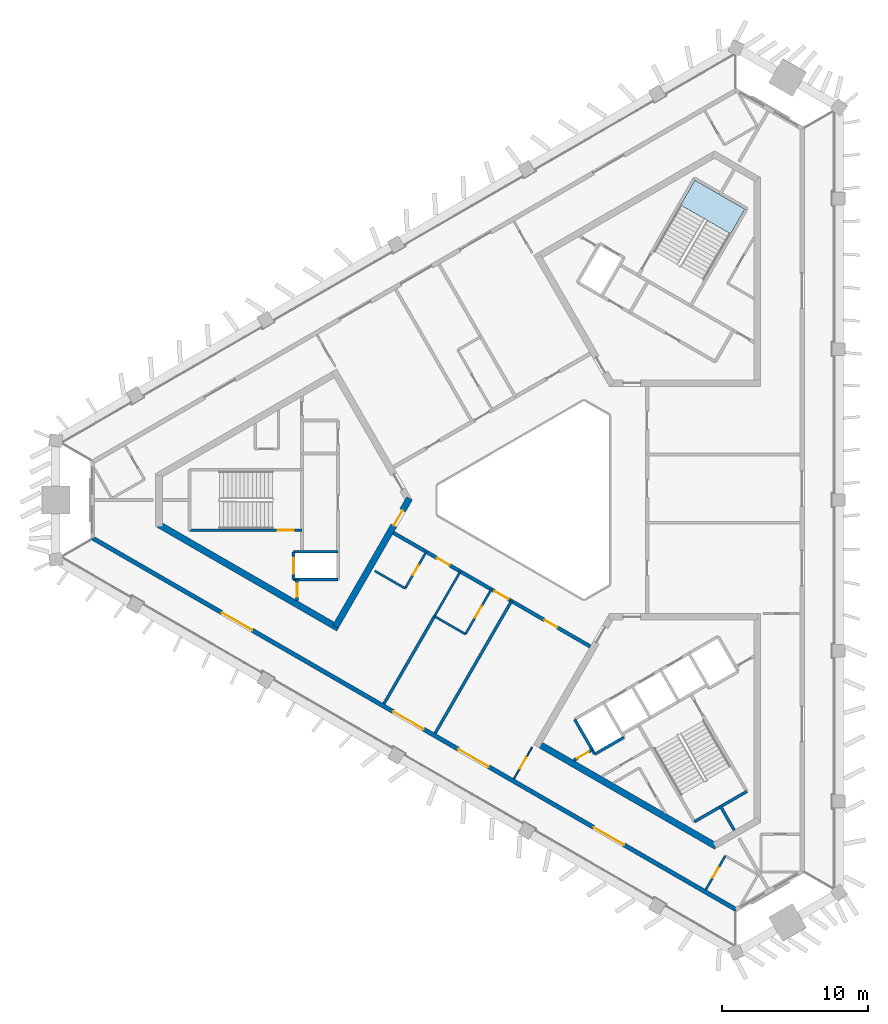
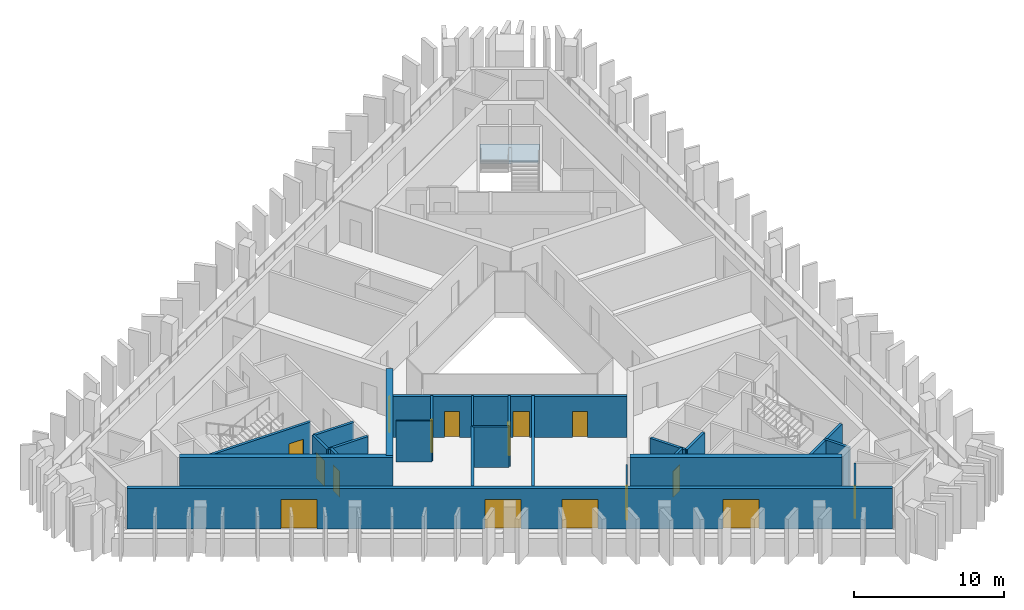
# One storey, part 2 of 10: 24 walls, 16 doors, 1 slab, 16 openings, 1 element without a shape of its own.
"""IFC4 building model written with IfcOpenShell, lengths in metres."""

from ifc_helpers import new_model, si_unit, direction, frame, frame_2d, origin, place, context, subcontext, project, spatial, polyline, rectangle, outline, extrude, material, layer, layer_set, type_object, element, fill, aggregate, save


model = new_model("IFC4")

# Units and contexts
model_context = context("Model", 3, precision=1e-05, world=origin(), true_north=direction((0.0, 1.0)))
body_context = subcontext(model_context, "Body", "Model", "MODEL_VIEW")
ifc_project = project(units=[si_unit("LENGTHUNIT", "METRE"), si_unit("AREAUNIT", "SQUARE_METRE"), si_unit("VOLUMEUNIT", "CUBIC_METRE"), si_unit("PLANEANGLEUNIT", "RADIAN"), si_unit("MASSUNIT", "GRAM", prefix="KILO")], contexts=[model_context])

# Site, building, storey
site_placement = place(None, origin())
site = spatial("IfcSite", under=ifc_project, at=site_placement, CompositionType="ELEMENT")
building_placement = place(site_placement, origin())
building = spatial("IfcBuilding", under=site, at=building_placement, Name="Jabali Bay Hotel Tower and Convention Centre", CompositionType="ELEMENT")
storey_placement = place(building_placement, frame((0.0, 0.0, 216.89990234375)))
storey = spatial("IfcBuildingStorey", under=building, at=storey_placement, Name="L53", CompositionType="ELEMENT", Elevation=216.89990234375)

# Stair, slab
ifc_material_1 = material(Name="Concrete C40", Category="concrete")
stair_type = type_object("IfcStairType", Name="Exit stair 1900", PredefinedType="HALF_TURN_STAIR", material=ifc_material_1)
stair_placement = place(storey_placement, origin())
stair = element("IfcStair", 1, at=stair_placement, inside=storey, type_object=stair_type, Name="L53 Exit Stair 2", PredefinedType="HALF_TURN_STAIR")
ifc_layer_1 = layer(ifc_material_1, 0.199951171875)
ifc_layer_set_1 = layer_set([ifc_layer_1], Name="Concrete C40")
slab_type = type_object("IfcSlabType", Name="Stair landing 200", PredefinedType="LANDING", material=ifc_layer_set_1)
slab_placement = place(storey_placement, frame((0.0, 0.0, 1.650146484375)))
slab = element("IfcSlab", 2, at=slab_placement, type_object=slab_type, Name="ST2 landing 1", PredefinedType="LANDING", context=body_context, shape_type="SweptSolid", body=[
    extrude(outline(polyline([(87.81884765625, 98.2529296875), (88.80029296875, 99.952880859375), (85.379638671875, 101.927978515625), (84.398193359375, 100.22802734375), (87.81884765625, 98.2529296875)])), origin(), (0.0, 0.0, 1.0), 0.199951171875),
])
aggregate(stair, [slab])

# Wall, opening, door
ifc_layer_2 = layer(ifc_material_1, 0.199951171875)
ifc_layer_set_2 = layer_set([ifc_layer_2], Name="Concrete C40")
wall_type_1 = type_object("IfcWallType", Name="Core partition wall 200", PredefinedType="PARTITIONING", material=ifc_layer_set_2)
wall_1_placement = place(storey_placement, frame((58.10009765625, 74.550048828125, 0.0), z_axis=(0.0, 0.0, 1.0), x_axis=(0.0, -1.0, 0.0)))
wall_1 = element("IfcWall", 3, at=wall_1_placement, inside=storey, type_object=wall_type_1, Name="Core wall 0.10 L53", PredefinedType="PARTITIONING", context=body_context, shape_type="SweptSolid", body=[
    extrude(rectangle(XDim=1.455078125, YDim=0.199951171875, at=frame_2d((0.7275390625, 0.0))), origin(), (0.0, 0.0, 1.0), 3.300048828125),
])
opening_1_placement = place(wall_1_placement, frame((0.277587890625, 0.0, 0.0)))
opening_1 = element("IfcOpeningElement", 4, at=opening_1_placement, cuts=wall_1, Name="Opening D1145", PredefinedType="OPENING", context=body_context, shape_type="SweptSolid", body=[
    extrude(rectangle(XDim=0.89990234375, YDim=2.10009765625, at=frame_2d((0.449951171875, 1.050048828125))), frame((0.0, 0.1103515625, 0.0), z_axis=(0.0, -1.0, 0.0), x_axis=(1.0, 0.0, 0.0)), (0.0, 0.0, 1.0), 0.220947265625),
])
ifc_material_2 = material(Name="Fire-rated steel door", Category="steel")
door_type_1 = type_object("IfcDoorType", Name="Vestibule fire door 900 x 2100", OperationType="NOTDEFINED", PredefinedType="NOTDEFINED", material=ifc_material_2)
door_1_placement = place(opening_1_placement, origin())
door_1 = element("IfcDoor", 5, at=door_1_placement, inside=storey, type_object=door_type_1, Name="Vestibule fire door D1145", OperationType="SINGLE_SWING_LEFT", OverallHeight=2.10009765625, OverallWidth=0.89990234375, PredefinedType="NOTDEFINED", context=body_context, shape_type="SweptSolid", body=[
    extrude(rectangle(XDim=0.89990234375, YDim=2.10009765625, at=frame_2d((0.449951171875, 1.050048828125))), frame((0.0, 0.02490234375, 0.0), z_axis=(0.0, -1.0, 0.0), x_axis=(1.0, 0.0, 0.0)), (0.0, 0.0, 1.0), 0.050048828125),
])
fill(opening_1, door_1)

# Wall
wall_2_placement = place(storey_placement, frame((87.090087890625, 59.0595703125, 0.0), z_axis=(0.0, 0.0, 1.0), x_axis=(0.500011643316, -0.866018681408, 0.0)))
element("IfcWall", 6, at=wall_2_placement, inside=storey, type_object=wall_type_1, Name="Core wall 2.5 L53", PredefinedType="PARTITIONING", context=body_context, shape_type="SweptSolid", body=[
    extrude(rectangle(XDim=1.97314453125, YDim=0.199951171875, at=frame_2d((0.986572265625, 0.0))), origin(), (0.0, 0.0, 1.0), 3.300048828125),
])

# Wall, opening, door
wall_3_placement = place(storey_placement, frame((77.070068359375, 62.142578125, 0.0), z_axis=(0.0, 0.0, 1.0), x_axis=(0.866013036001, 0.500021421018, 0.0)))
wall_3 = element("IfcWall", 7, at=wall_3_placement, inside=storey, type_object=wall_type_1, Name="Core wall 2.11 L53", PredefinedType="PARTITIONING", context=body_context, shape_type="SweptSolid", body=[
    extrude(rectangle(XDim=1.4609375, YDim=0.199951171875, at=frame_2d((0.73046875, 0.0))), origin(), (0.0, 0.0, 1.0), 3.300048828125),
])
opening_2_placement = place(wall_3_placement, frame((0.280517578125, 0.0, 0.0)))
opening_2 = element("IfcOpeningElement", 8, at=opening_2_placement, cuts=wall_3, Name="Opening D1161", PredefinedType="OPENING", context=body_context, shape_type="SweptSolid", body=[
    extrude(rectangle(XDim=0.89990234375, YDim=2.10009765625, at=frame_2d((0.449951171875, 1.050048828125))), frame((0.0, 0.1103515625, 0.0), z_axis=(0.0, -1.0, 0.0), x_axis=(1.0, 0.0, 0.0)), (0.0, 0.0, 1.0), 0.220947265625),
])
door_2_placement = place(opening_2_placement, origin())
door_2 = element("IfcDoor", 9, at=door_2_placement, inside=storey, type_object=door_type_1, Name="Vestibule fire door D1161", OperationType="SINGLE_SWING_LEFT", OverallHeight=2.10009765625, OverallWidth=0.89990234375, PredefinedType="NOTDEFINED", context=body_context, shape_type="SweptSolid", body=[
    extrude(rectangle(XDim=0.89990234375, YDim=2.10009765625, at=frame_2d((0.449951171875, 1.050048828125))), frame((0.0, 0.02490234375, 0.0), z_axis=(0.0, -1.0, 0.0), x_axis=(1.0, 0.0, 0.0)), (0.0, 0.0, 1.0), 0.050048828125),
])
fill(opening_2, door_2)

ifc_layer_3 = layer(ifc_material_1, 0.199951171875)
ifc_layer_set_3 = layer_set([ifc_layer_3], Name="Concrete C40")
wall_type_2 = type_object("IfcWallType", Name="Core stair wall 200", PredefinedType="SOLIDWALL", material=ifc_layer_set_3)
wall_4_placement = place(storey_placement, frame((58.419921875, 77.925048828125, 0.0), z_axis=(0.0, 0.0, 1.0), x_axis=(-1.0, 0.0, 0.0)))
wall_4 = element("IfcWall", 10, at=wall_4_placement, inside=storey, type_object=wall_type_2, Name="Core wall 0.5 L53", PredefinedType="SOLIDWALL", context=body_context, shape_type="SweptSolid", body=[
    extrude(rectangle(XDim=7.699951171875, YDim=0.199951171875, at=frame_2d((3.85009765625, 0.0))), origin(), (0.0, 0.0, 1.0), 3.300048828125),
])
opening_3_placement = place(wall_4_placement, frame((0.550048828125, 0.0, 0.0)))
opening_3 = element("IfcOpeningElement", 11, at=opening_3_placement, cuts=wall_4, Name="Opening D1147", PredefinedType="OPENING", context=body_context, shape_type="SweptSolid", body=[
    extrude(rectangle(XDim=1.10009765625, YDim=2.10009765625, at=frame_2d((0.550048828125, 1.050048828125))), frame((0.0, 0.1103515625, 0.0), z_axis=(0.0, -1.0, 0.0), x_axis=(1.0, 0.0, 0.0)), (0.0, 0.0, 1.0), 0.220947265625),
])
door_type_2 = type_object("IfcDoorType", Name="Stair fire door 1100 x 2100", OperationType="NOTDEFINED", PredefinedType="NOTDEFINED", material=ifc_material_2)
door_3_placement = place(opening_3_placement, origin())
door_3 = element("IfcDoor", 12, at=door_3_placement, inside=storey, type_object=door_type_2, Name="Stair fire door D1147", OperationType="SINGLE_SWING_RIGHT", OverallHeight=2.10009765625, OverallWidth=1.10009765625, PredefinedType="NOTDEFINED", context=body_context, shape_type="SweptSolid", body=[
    extrude(rectangle(XDim=1.10009765625, YDim=2.10009765625, at=frame_2d((0.550048828125, 1.050048828125))), frame((0.0, 0.02490234375, 0.0), z_axis=(0.0, -1.0, 0.0), x_axis=(1.0, 0.0, 0.0)), (0.0, 0.0, 1.0), 0.050048828125),
])
fill(opening_3, door_3)

# Walls
for number, where, z_axis, x_axis, name in (
    (13, (60.89990234375, 76.449951171875, 0.0), (0.0, 0.0, 1.0), (-1.0, 0.0, 0.0), "Core wall 0.6 L53"),
    (14, (60.89990234375, 74.550048828125, 0.0), (0.0, 0.0, 1.0), (-1.0, 0.0, 0.0), "Core wall 0.7 L53"),
):
    element("IfcWall", number, at=place(storey_placement, frame(where, z_axis=z_axis, x_axis=x_axis)), inside=storey, type_object=wall_type_2, Name=name, PredefinedType="SOLIDWALL", context=body_context, shape_type="SweptSolid", body=[
        extrude(rectangle(XDim=3.0498046875, YDim=0.199951171875, at=frame_2d((1.52490234375, 0.0))), origin(), (0.0, 0.0, 1.0), 3.300048828125),
    ])

# Wall, opening, door
wall_5_placement = place(storey_placement, frame((57.85009765625, 76.449951171875, 0.0), z_axis=(0.0, 0.0, 1.0), x_axis=(0.0, -1.0, 0.0)))
wall_5 = element("IfcWall", 15, at=wall_5_placement, inside=storey, type_object=wall_type_2, Name="Core wall 0.11 L53", PredefinedType="SOLIDWALL", context=body_context, shape_type="SweptSolid", body=[
    extrude(rectangle(XDim=1.89990234375, YDim=0.199951171875, at=frame_2d((0.949951171875, 0.0))), origin(), (0.0, 0.0, 1.0), 3.300048828125),
])
opening_4_placement = place(wall_5_placement, frame((0.39990234375, 0.0, 0.0)))
opening_4 = element("IfcOpeningElement", 16, at=opening_4_placement, cuts=wall_5, Name="Opening LD5-L53", PredefinedType="OPENING", context=body_context, shape_type="SweptSolid", body=[
    extrude(rectangle(XDim=1.10009765625, YDim=2.10009765625, at=frame_2d((0.550048828125, 1.050048828125))), frame((0.0, 0.1103515625, 0.0), z_axis=(0.0, -1.0, 0.0), x_axis=(1.0, 0.0, 0.0)), (0.0, 0.0, 1.0), 0.220947265625),
])
ifc_material_3 = material(Name="Stainless steel landing door", Category="steel")
door_type_3 = type_object("IfcDoorType", Name="Landing door 1100 x 2100", OperationType="NOTDEFINED", PredefinedType="NOTDEFINED", material=ifc_material_3)
door_4_placement = place(opening_4_placement, origin())
door_4 = element("IfcDoor", 17, at=door_4_placement, inside=storey, type_object=door_type_3, Name="Landing doors LD5-L53", OperationType="SLIDING_TO_RIGHT", OverallHeight=2.10009765625, OverallWidth=1.10009765625, PredefinedType="NOTDEFINED", context=body_context, shape_type="SweptSolid", body=[
    extrude(rectangle(XDim=1.10009765625, YDim=2.10009765625, at=frame_2d((0.550048828125, 1.050048828125))), frame((0.0, 0.02490234375, 0.0), z_axis=(0.0, -1.0, 0.0), x_axis=(1.0, 0.0, 0.0)), (0.0, 0.0, 1.0), 0.050048828125),
])
fill(opening_4, door_4)

# Walls
wall_6_placement = place(storey_placement, frame((77.13525390625, 64.95166015625, 0.0), z_axis=(0.0, 0.0, 1.0), x_axis=(0.499996545922, -0.866027397988, 0.0)))
element("IfcWall", 18, at=wall_6_placement, inside=storey, type_object=wall_type_2, Name="Core wall 2.0 L53", PredefinedType="SOLIDWALL", context=body_context, shape_type="SweptSolid", body=[
    extrude(rectangle(XDim=2.75, YDim=0.199951171875, at=frame_2d((1.375, 0.0))), origin(), (0.0, 0.0, 1.0), 3.300048828125),
])
wall_7_placement = place(storey_placement, frame((78.51025390625, 62.570068359375, 0.0), z_axis=(0.0, 0.0, 1.0), x_axis=(0.866053019151, 0.499952165731, 0.0)))
element("IfcWall", 19, at=wall_7_placement, inside=storey, type_object=wall_type_2, Name="Core wall 2.14 L53", PredefinedType="SOLIDWALL", context=body_context, shape_type="SweptSolid", body=[
    extrude(rectangle(XDim=2.300048828125, YDim=0.199951171875, at=frame_2d((1.14990234375, 0.0))), origin(), (0.0, 0.0, 1.0), 3.300048828125),
])
wall_8_placement = place(storey_placement, frame((85.343017578125, 57.935302734375, 0.0), z_axis=(0.0, 0.0, 1.0), x_axis=(0.866004344652, 0.500036473714, 0.0)))
element("IfcWall", 20, at=wall_8_placement, inside=storey, type_object=wall_type_2, Name="Core wall 2.18 L53", PredefinedType="SOLIDWALL", context=body_context, shape_type="SweptSolid", body=[
    extrude(rectangle(XDim=4.150146484375, YDim=0.199951171875, at=frame_2d((2.0751953125, 0.0))), origin(), (0.0, 0.0, 1.0), 3.300048828125),
])
ifc_material_4 = material(Name="Concrete C60", Category="concrete")
ifc_layer_4 = layer(ifc_material_4, 0.449951171875)
ifc_layer_set_4 = layer_set([ifc_layer_4], Name="Concrete C60")
wall_type_3 = type_object("IfcWallType", Name="Core wall 450", PredefinedType="SHEAR", material=ifc_layer_set_4)
wall_9_placement = place(storey_placement, frame((48.621826171875, 78.307373046875, 0.0), z_axis=(0.0, 0.0, 1.0), x_axis=(0.86602701116, -0.499997215934, 0.0)))
element("IfcWall", 21, at=wall_9_placement, inside=storey, type_object=wall_type_3, Name="Core wall 1.4 L53", PredefinedType="SHEAR", context=body_context, shape_type="SweptSolid", body=[
    extrude(rectangle(XDim=14.20361328125, YDim=0.449951171875, at=frame_2d((7.101806640625, 0.0))), origin(), (0.0, 0.0, 1.0), 3.7001953125),
])

# Wall, opening, door
wall_10_placement = place(storey_placement, frame((60.7275390625, 71.318115234375, 0.0), z_axis=(0.0, 0.0, 1.0), x_axis=(0.500012416173, 0.866018235185, 0.0)))
wall_10 = element("IfcWall", 22, at=wall_10_placement, inside=storey, type_object=wall_type_3, Name="Core wall 1.5 L53", PredefinedType="SHEAR", context=body_context, shape_type="SweptSolid", body=[
    extrude(rectangle(XDim=10.155029296875, YDim=0.449951171875, at=frame_2d((5.07763671875, 0.0))), origin(), (0.0, 0.0, 1.0), 3.7001953125),
])
opening_5_placement = place(wall_10_placement, frame((8.0048828125, 0.0, 0.0)))
opening_5 = element("IfcOpeningElement", 23, at=opening_5_placement, cuts=wall_10, Name="Opening D1142", PredefinedType="OPENING", context=body_context, shape_type="SweptSolid", body=[
    extrude(rectangle(XDim=1.199951171875, YDim=2.10009765625, at=frame_2d((0.60009765625, 1.050048828125))), frame((0.0, 0.2353515625, 0.0), z_axis=(0.0, -1.0, 0.0), x_axis=(1.0, 0.0, 0.0)), (0.0, 0.0, 1.0), 0.470947265625),
])
door_type_4 = type_object("IfcDoorType", Name="Corridor end fire door 1200 x 2100", OperationType="NOTDEFINED", PredefinedType="NOTDEFINED", material=ifc_material_2)
door_5_placement = place(opening_5_placement, origin())
door_5 = element("IfcDoor", 24, at=door_5_placement, inside=storey, type_object=door_type_4, Name="Corridor end fire door D1142", OperationType="SINGLE_SWING_LEFT", OverallHeight=2.10009765625, OverallWidth=1.199951171875, PredefinedType="NOTDEFINED", context=body_context, shape_type="SweptSolid", body=[
    extrude(rectangle(XDim=1.199951171875, YDim=2.10009765625, at=frame_2d((0.60009765625, 1.050048828125))), frame((0.0, 0.02490234375, 0.0), z_axis=(0.0, -1.0, 0.0), x_axis=(1.0, 0.0, 0.0)), (0.0, 0.0, 1.0), 0.050048828125),
])
fill(opening_5, door_5)

# Wall
wall_11_placement = place(storey_placement, frame((74.617431640625, 63.298828125, 0.0), z_axis=(0.0, 0.0, 1.0), x_axis=(0.86602594008, -0.499999071108, 0.0)))
element("IfcWall", 25, at=wall_11_placement, inside=storey, type_object=wall_type_3, Name="Core wall 3.2 L53", PredefinedType="SHEAR", context=body_context, shape_type="SweptSolid", body=[
    extrude(rectangle(XDim=14.1083984375, YDim=0.449951171875, at=frame_2d((7.05419921875, 0.0))), origin(), (0.0, 0.0, 1.0), 3.7001953125),
])

# Wall, openings, doors
ifc_layer_5 = layer(ifc_material_4, 0.25)
ifc_layer_set_5 = layer_set([ifc_layer_5], Name="Concrete C60")
wall_type_4 = type_object("IfcWallType", Name="Corridor wall 250", PredefinedType="SHEAR", material=ifc_layer_set_5)
wall_12_placement = place(storey_placement, frame((64.699951171875, 77.748291015625, 0.0), z_axis=(0.0, 0.0, 1.0), x_axis=(0.866026492143, -0.499998114903, 0.0)))
wall_12 = element("IfcWall", 26, at=wall_12_placement, inside=storey, type_object=wall_type_4, Name="Corridor wall 3 L53", PredefinedType="SHEAR", context=body_context, shape_type="SweptSolid", body=[
    extrude(rectangle(XDim=15.58837890625, YDim=0.25, at=frame_2d((7.794189453125, 0.0))), origin(), (0.0, 0.0, 1.0), 3.300048828125),
])
opening_6_placement = place(wall_12_placement, frame((3.449951171875, 0.0, 0.0)))
opening_6 = element("IfcOpeningElement", 27, at=opening_6_placement, cuts=wall_12, Name="Opening 5315", PredefinedType="OPENING", context=body_context, shape_type="SweptSolid", body=[
    extrude(rectangle(XDim=1.0, YDim=2.10009765625, at=frame_2d((0.5, 1.050048828125))), frame((0.0, 0.135498046875, 0.0), z_axis=(0.0, -1.0, 0.0), x_axis=(1.0, 0.0, 0.0)), (0.0, 0.0, 1.0), 0.27099609375),
])
opening_7_placement = place(wall_12_placement, frame((8.003173828125, 0.0, 0.0)))
opening_7 = element("IfcOpeningElement", 28, at=opening_7_placement, cuts=wall_12, Name="Opening 5317", PredefinedType="OPENING", context=body_context, shape_type="SweptSolid", body=[
    extrude(rectangle(XDim=1.10009765625, YDim=2.10009765625, at=frame_2d((0.550048828125, 1.050048828125))), frame((0.0, 0.135498046875, 0.0), z_axis=(0.0, -1.0, 0.0), x_axis=(1.0, 0.0, 0.0)), (0.0, 0.0, 1.0), 0.27099609375),
])
opening_8_placement = place(wall_12_placement, frame((11.970703125, 0.0, 0.0)))
opening_8 = element("IfcOpeningElement", 29, at=opening_8_placement, cuts=wall_12, Name="Opening 5318", PredefinedType="OPENING", context=body_context, shape_type="SweptSolid", body=[
    extrude(rectangle(XDim=1.0, YDim=2.10009765625, at=frame_2d((0.5, 1.050048828125))), frame((0.0, 0.135498046875, 0.0), z_axis=(0.0, -1.0, 0.0), x_axis=(1.0, 0.0, 0.0)), (0.0, 0.0, 1.0), 0.27099609375),
])
ifc_material_5 = material(Name="Timber", Category="wood")
door_type_5 = type_object("IfcDoorType", Name="Accessible guest room door 1100 x 2100", OperationType="NOTDEFINED", PredefinedType="NOTDEFINED", material=ifc_material_5)
door_6_placement = place(opening_7_placement, origin())
door_6 = element("IfcDoor", 30, at=door_6_placement, inside=storey, type_object=door_type_5, Name="Door 5317", OperationType="SINGLE_SWING_RIGHT", OverallHeight=2.10009765625, OverallWidth=1.10009765625, PredefinedType="NOTDEFINED", context=body_context, shape_type="SweptSolid", body=[
    extrude(rectangle(XDim=1.10009765625, YDim=2.10009765625, at=frame_2d((0.550048828125, 1.050048828125))), frame((0.0, 0.02490234375, 0.0), z_axis=(0.0, -1.0, 0.0), x_axis=(1.0, 0.0, 0.0)), (0.0, 0.0, 1.0), 0.050048828125),
])
fill(opening_7, door_6)
door_type_6 = type_object("IfcDoorType", Name="Guest room door 1000 x 2100", OperationType="NOTDEFINED", PredefinedType="NOTDEFINED", material=ifc_material_5)
door_7_placement = place(opening_6_placement, origin())
door_7 = element("IfcDoor", 31, at=door_7_placement, inside=storey, type_object=door_type_6, Name="Door 5315", OperationType="SINGLE_SWING_LEFT", OverallHeight=2.10009765625, OverallWidth=1.0, PredefinedType="NOTDEFINED", context=body_context, shape_type="SweptSolid", body=[
    extrude(rectangle(XDim=1.0, YDim=2.10009765625, at=frame_2d((0.5, 1.050048828125))), frame((0.0, 0.02490234375, 0.0), z_axis=(0.0, -1.0, 0.0), x_axis=(1.0, 0.0, 0.0)), (0.0, 0.0, 1.0), 0.050048828125),
])
fill(opening_6, door_7)
door_8_placement = place(opening_8_placement, origin())
door_8 = element("IfcDoor", 32, at=door_8_placement, inside=storey, type_object=door_type_6, Name="Door 5318", OperationType="SINGLE_SWING_RIGHT", OverallHeight=2.10009765625, OverallWidth=1.0, PredefinedType="NOTDEFINED", context=body_context, shape_type="SweptSolid", body=[
    extrude(rectangle(XDim=1.0, YDim=2.10009765625, at=frame_2d((0.5, 1.050048828125))), frame((0.0, 0.02490234375, 0.0), z_axis=(0.0, -1.0, 0.0), x_axis=(1.0, 0.0, 0.0)), (0.0, 0.0, 1.0), 0.050048828125),
])
fill(opening_8, door_8)

ifc_layer_6 = layer(ifc_material_1, 0.300048828125)
ifc_layer_set_6 = layer_set([ifc_layer_6], Name="Concrete C40")
wall_type_5 = type_object("IfcWallType", Name="External wall 300", PredefinedType="SOLIDWALL", material=ifc_layer_set_6)
wall_13_placement = place(storey_placement, frame((88.210205078125, 51.904052734375, 0.0), z_axis=(0.0, 0.0, 1.0), x_axis=(-0.866024402399, 0.500001734447, 0.0)))
wall_13 = element("IfcWall", 33, at=wall_13_placement, inside=storey, type_object=wall_type_5, Name="External wall south-west face L53", PredefinedType="SOLIDWALL", context=body_context, shape_type="SweptSolid", body=[
    extrude(rectangle(XDim=50.976806640625, YDim=0.300048828125, at=frame_2d((25.48828125, 0.0))), origin(), (0.0, 0.0, 1.0), 3.300048828125),
])
opening_9_placement = place(wall_13_placement, frame((24.756103515625, 0.0, 0.0)))
opening_9 = element("IfcOpeningElement", 34, at=opening_9_placement, cuts=wall_13, Name="Opening SD1", PredefinedType="OPENING", context=body_context, shape_type="SweptSolid", body=[
    extrude(rectangle(XDim=2.39990234375, YDim=2.39990234375, at=frame_2d((1.199951171875, 1.199951171875))), frame((0.0, 0.16064453125, 0.0), z_axis=(0.0, -1.0, 0.0), x_axis=(1.0, 0.0, 0.0)), (0.0, 0.0, 1.0), 0.321044921875),
])
opening_10_placement = place(wall_13_placement, frame((19.61181640625, 0.0, 0.0)))
opening_10 = element("IfcOpeningElement", 35, at=opening_10_placement, cuts=wall_13, Name="Opening SD1", PredefinedType="OPENING", context=body_context, shape_type="SweptSolid", body=[
    extrude(rectangle(XDim=2.39990234375, YDim=2.39990234375, at=frame_2d((1.199951171875, 1.199951171875))), frame((0.0, 0.16064453125, 0.0), z_axis=(0.0, -1.0, 0.0), x_axis=(1.0, 0.0, 0.0)), (0.0, 0.0, 1.0), 0.321044921875),
])
opening_11_placement = place(wall_13_placement, frame((8.88525390625, 0.0, 0.0)))
opening_11 = element("IfcOpeningElement", 36, at=opening_11_placement, cuts=wall_13, Name="Opening SD1", PredefinedType="OPENING", context=body_context, shape_type="SweptSolid", body=[
    extrude(rectangle(XDim=2.39990234375, YDim=2.39990234375, at=frame_2d((1.199951171875, 1.199951171875))), frame((0.0, 0.16064453125, 0.0), z_axis=(0.0, -1.0, 0.0), x_axis=(1.0, 0.0, 0.0)), (0.0, 0.0, 1.0), 0.321044921875),
])
opening_12_placement = place(wall_13_placement, frame((38.322998046875, 0.0, 0.0)))
opening_12 = element("IfcOpeningElement", 37, at=opening_12_placement, cuts=wall_13, Name="Opening SD1", PredefinedType="OPENING", context=body_context, shape_type="SweptSolid", body=[
    extrude(rectangle(XDim=2.39990234375, YDim=2.39990234375, at=frame_2d((1.199951171875, 1.199951171875))), frame((0.0, 0.16064453125, 0.0), z_axis=(0.0, -1.0, 0.0), x_axis=(1.0, 0.0, 0.0)), (0.0, 0.0, 1.0), 0.321044921875),
])
ifc_material_6 = material(Name="Glass", Category="glass")
door_type_7 = type_object("IfcDoorType", Name="Loggia sliding door 2400 x 2400", OperationType="NOTDEFINED", PredefinedType="NOTDEFINED", material=ifc_material_6)
door_9_placement = place(opening_9_placement, origin())
door_9 = element("IfcDoor", 38, at=door_9_placement, inside=storey, type_object=door_type_7, Name="Loggia sliding door 5307", OperationType="SLIDING_TO_LEFT", OverallHeight=2.39990234375, OverallWidth=2.39990234375, PredefinedType="NOTDEFINED", context=body_context, shape_type="SweptSolid", body=[
    extrude(rectangle(XDim=2.39990234375, YDim=2.39990234375, at=frame_2d((1.199951171875, 1.199951171875))), frame((0.0, 0.02490234375, 0.0), z_axis=(0.0, -1.0, 0.0), x_axis=(1.0, 0.0, 0.0)), (0.0, 0.0, 1.0), 0.050048828125),
])
fill(opening_9, door_9)
door_10_placement = place(opening_10_placement, origin())
door_10 = element("IfcDoor", 39, at=door_10_placement, inside=storey, type_object=door_type_7, Name="Loggia sliding door 5308", OperationType="SLIDING_TO_RIGHT", OverallHeight=2.39990234375, OverallWidth=2.39990234375, PredefinedType="NOTDEFINED", context=body_context, shape_type="SweptSolid", body=[
    extrude(rectangle(XDim=2.39990234375, YDim=2.39990234375, at=frame_2d((1.199951171875, 1.199951171875))), frame((0.0, 0.02490234375, 0.0), z_axis=(0.0, -1.0, 0.0), x_axis=(1.0, 0.0, 0.0)), (0.0, 0.0, 1.0), 0.050048828125),
])
fill(opening_10, door_10)
door_11_placement = place(opening_11_placement, origin())
door_11 = element("IfcDoor", 40, at=door_11_placement, inside=storey, type_object=door_type_7, Name="Loggia sliding door 5308", OperationType="SLIDING_TO_LEFT", OverallHeight=2.39990234375, OverallWidth=2.39990234375, PredefinedType="NOTDEFINED", context=body_context, shape_type="SweptSolid", body=[
    extrude(rectangle(XDim=2.39990234375, YDim=2.39990234375, at=frame_2d((1.199951171875, 1.199951171875))), frame((0.0, 0.02490234375, 0.0), z_axis=(0.0, -1.0, 0.0), x_axis=(1.0, 0.0, 0.0)), (0.0, 0.0, 1.0), 0.050048828125),
])
fill(opening_11, door_11)
door_12_placement = place(opening_12_placement, origin())
door_12 = element("IfcDoor", 41, at=door_12_placement, inside=storey, type_object=door_type_7, Name="Loggia sliding door 5306", OperationType="SLIDING_TO_RIGHT", OverallHeight=2.39990234375, OverallWidth=2.39990234375, PredefinedType="NOTDEFINED", context=body_context, shape_type="SweptSolid", body=[
    extrude(rectangle(XDim=2.39990234375, YDim=2.39990234375, at=frame_2d((1.199951171875, 1.199951171875))), frame((0.0, 0.02490234375, 0.0), z_axis=(0.0, -1.0, 0.0), x_axis=(1.0, 0.0, 0.0)), (0.0, 0.0, 1.0), 0.050048828125),
])
fill(opening_12, door_12)

# Wall, opening, door
ifc_material_7 = material(Name="Plasterboard on steel stud", Category="steel")
ifc_layer_7 = layer(ifc_material_7, 0.10009765625)
ifc_layer_set_7 = layer_set([ifc_layer_7], Name="Plasterboard on steel stud")
wall_type_6 = type_object("IfcWallType", Name="Partition 100 unit", PredefinedType="PARTITIONING", material=ifc_layer_set_7)
wall_14_placement = place(storey_placement, frame((72.961181640625, 60.880126953125, 0.0), z_axis=(0.0, 0.0, 1.0), x_axis=(0.499953629774, 0.866052173992, 0.0)))
wall_14 = element("IfcWall", 42, at=wall_14_placement, inside=storey, type_object=wall_type_6, Name="Partition P02 L53 029", PredefinedType="PARTITIONING", context=body_context, shape_type="SweptSolid", body=[
    extrude(rectangle(XDim=2.498779296875, YDim=0.10009765625, at=frame_2d((1.24951171875, 0.0))), origin(), (0.0, 0.0, 1.0), 3.300048828125),
])
opening_13_placement = place(wall_14_placement, frame((0.799072265625, 0.0, 0.0)))
opening_13 = element("IfcOpeningElement", 43, at=opening_13_placement, cuts=wall_14, Name="Opening 5319", PredefinedType="OPENING", context=body_context, shape_type="SweptSolid", body=[
    extrude(rectangle(XDim=0.89990234375, YDim=2.10009765625, at=frame_2d((0.449951171875, 1.050048828125))), frame((0.0, 0.060546875, 0.0), z_axis=(0.0, -1.0, 0.0), x_axis=(1.0, 0.0, 0.0)), (0.0, 0.0, 1.0), 0.12109375),
])
door_type_8 = type_object("IfcDoorType", Name="Internal door 900 x 2100", OperationType="NOTDEFINED", PredefinedType="NOTDEFINED", material=ifc_material_5)
door_13_placement = place(opening_13_placement, origin())
door_13 = element("IfcDoor", 44, at=door_13_placement, inside=storey, type_object=door_type_8, Name="Door 5319", OperationType="SINGLE_SWING_LEFT", OverallHeight=2.10009765625, OverallWidth=0.89990234375, PredefinedType="NOTDEFINED", context=body_context, shape_type="SweptSolid", body=[
    extrude(rectangle(XDim=0.89990234375, YDim=2.10009765625, at=frame_2d((0.449951171875, 1.050048828125))), frame((0.0, 0.02490234375, 0.0), z_axis=(0.0, -1.0, 0.0), x_axis=(1.0, 0.0, 0.0)), (0.0, 0.0, 1.0), 0.050048828125),
])
fill(opening_13, door_13)

ifc_layer_8 = layer(ifc_material_7, 0.14990234375)
ifc_layer_set_8 = layer_set([ifc_layer_8], Name="Plasterboard on steel stud")
wall_type_7 = type_object("IfcWallType", Name="Partition 150 wet", PredefinedType="PARTITIONING", material=ifc_layer_set_8)
wall_15_placement = place(storey_placement, frame((66.95166015625, 76.4482421875, 0.0), z_axis=(0.0, 0.0, 1.0), x_axis=(-0.499987231761, -0.866032775405, 0.0)))
wall_15 = element("IfcWall", 45, at=wall_15_placement, inside=storey, type_object=wall_type_7, Name="Partition P03 L53 022", PredefinedType="PARTITIONING", context=body_context, shape_type="SweptSolid", body=[
    extrude(rectangle(XDim=2.89990234375, YDim=0.14990234375, at=frame_2d((1.449951171875, 0.0))), origin(), (0.0, 0.0, 1.0), 3.300048828125),
])
opening_14_placement = place(wall_15_placement, frame((1.050048828125, 0.0, 0.0)))
opening_14 = element("IfcOpeningElement", 46, at=opening_14_placement, cuts=wall_15, Name="Opening 5314", PredefinedType="OPENING", context=body_context, shape_type="SweptSolid", body=[
    extrude(rectangle(XDim=0.800048828125, YDim=2.10009765625, at=frame_2d((0.39990234375, 1.050048828125))), frame((0.0, 0.08544921875, 0.0), z_axis=(0.0, -1.0, 0.0), x_axis=(1.0, 0.0, 0.0)), (0.0, 0.0, 1.0), 0.1708984375),
])
door_type_9 = type_object("IfcDoorType", Name="En-suite door 800 x 2100", OperationType="NOTDEFINED", PredefinedType="NOTDEFINED", material=ifc_material_5)
door_14_placement = place(opening_14_placement, origin())
door_14 = element("IfcDoor", 47, at=door_14_placement, inside=storey, type_object=door_type_9, Name="Door 5314", OperationType="SINGLE_SWING_RIGHT", OverallHeight=2.10009765625, OverallWidth=0.800048828125, PredefinedType="NOTDEFINED", context=body_context, shape_type="SweptSolid", body=[
    extrude(rectangle(XDim=0.800048828125, YDim=2.10009765625, at=frame_2d((0.39990234375, 1.050048828125))), frame((0.0, 0.02490234375, 0.0), z_axis=(0.0, -1.0, 0.0), x_axis=(1.0, 0.0, 0.0)), (0.0, 0.0, 1.0), 0.050048828125),
])
fill(opening_14, door_14)

# Walls
wall_16_placement = place(storey_placement, frame((65.501708984375, 73.936767578125, 0.0), z_axis=(0.0, 0.0, 1.0), x_axis=(-0.865994240961, 0.500053971709, 0.0)))
element("IfcWall", 48, at=wall_16_placement, inside=storey, type_object=wall_type_7, Name="Partition P03 L53 023", PredefinedType="PARTITIONING", context=body_context, shape_type="SweptSolid", body=[
    extrude(rectangle(XDim=2.401123046875, YDim=0.14990234375, at=frame_2d((1.20068359375, 0.0))), origin(), (0.0, 0.0, 1.0), 3.300048828125),
])
wall_17_placement = place(storey_placement, frame((67.5166015625, 72.02685546875, 0.0), z_axis=(0.0, 0.0, 1.0), x_axis=(0.500018392462, 0.866014784631, 0.0)))
element("IfcWall", 49, at=wall_17_placement, inside=storey, type_object=wall_type_7, Name="Partition P03 L53 025", PredefinedType="PARTITIONING", context=body_context, shape_type="SweptSolid", body=[
    extrude(rectangle(XDim=3.546630859375, YDim=0.14990234375, at=frame_2d((1.7734375, 0.0))), origin(), (0.0, 0.0, 1.0), 3.300048828125),
])

# Wall, opening, door
wall_18_placement = place(storey_placement, frame((71.414306640625, 73.871826171875, 0.0), z_axis=(0.0, 0.0, 1.0), x_axis=(-0.499966764714, -0.866044591335, 0.0)))
wall_18 = element("IfcWall", 50, at=wall_18_placement, inside=storey, type_object=wall_type_7, Name="Partition P03 L53 026", PredefinedType="PARTITIONING", context=body_context, shape_type="SweptSolid", body=[
    extrude(rectangle(XDim=3.546630859375, YDim=0.14990234375, at=frame_2d((1.7734375, 0.0))), origin(), (0.0, 0.0, 1.0), 3.300048828125),
])
opening_15_placement = place(wall_18_placement, frame((1.322998046875, 0.0, 0.0)))
opening_15 = element("IfcOpeningElement", 51, at=opening_15_placement, cuts=wall_18, Name="Opening 5316", PredefinedType="OPENING", context=body_context, shape_type="SweptSolid", body=[
    extrude(rectangle(XDim=0.89990234375, YDim=2.10009765625, at=frame_2d((0.449951171875, 1.050048828125))), frame((0.0, 0.08544921875, 0.0), z_axis=(0.0, -1.0, 0.0), x_axis=(1.0, 0.0, 0.0)), (0.0, 0.0, 1.0), 0.1708984375),
])
door_type_10 = type_object("IfcDoorType", Name="Accessible en-suite door 900 x 2100", OperationType="NOTDEFINED", PredefinedType="NOTDEFINED", material=ifc_material_5)
door_15_placement = place(opening_15_placement, origin())
door_15 = element("IfcDoor", 52, at=door_15_placement, inside=storey, type_object=door_type_10, Name="Door 5316", OperationType="SINGLE_SWING_LEFT", OverallHeight=2.10009765625, OverallWidth=0.89990234375, PredefinedType="NOTDEFINED", context=body_context, shape_type="SweptSolid", body=[
    extrude(rectangle(XDim=0.89990234375, YDim=2.10009765625, at=frame_2d((0.449951171875, 1.050048828125))), frame((0.0, 0.02490234375, 0.0), z_axis=(0.0, -1.0, 0.0), x_axis=(1.0, 0.0, 0.0)), (0.0, 0.0, 1.0), 0.050048828125),
])
fill(opening_15, door_15)

# Wall
wall_19_placement = place(storey_placement, frame((69.64111328125, 70.80029296875, 0.0), z_axis=(0.0, 0.0, 1.0), x_axis=(-0.866029801145, 0.49999238347, 0.0)))
element("IfcWall", 53, at=wall_19_placement, inside=storey, type_object=wall_type_7, Name="Partition P03 L53 027", PredefinedType="PARTITIONING", context=body_context, shape_type="SweptSolid", body=[
    extrude(rectangle(XDim=2.453125, YDim=0.14990234375, at=frame_2d((1.2265625, 0.0))), origin(), (0.0, 0.0, 1.0), 3.300048828125),
])

# Wall, opening, door
wall_20_placement = place(storey_placement, frame((86.124755859375, 53.2802734375, 0.0), z_axis=(0.0, 0.0, 1.0), x_axis=(0.500054140411, 0.865994143547, 0.0)))
wall_20 = element("IfcWall", 54, at=wall_20_placement, inside=storey, type_object=wall_type_7, Name="Partition P03 L53 030", PredefinedType="PARTITIONING", context=body_context, shape_type="SweptSolid", body=[
    extrude(rectangle(XDim=2.676025390625, YDim=0.14990234375, at=frame_2d((1.337890625, 0.0))), origin(), (0.0, 0.0, 1.0), 3.300048828125),
])
opening_16_placement = place(wall_20_placement, frame((0.93798828125, 0.0, 0.0)))
opening_16 = element("IfcOpeningElement", 55, at=opening_16_placement, cuts=wall_20, Name="Opening 5320", PredefinedType="OPENING", context=body_context, shape_type="SweptSolid", body=[
    extrude(rectangle(XDim=0.800048828125, YDim=2.10009765625, at=frame_2d((0.39990234375, 1.050048828125))), frame((0.0, 0.08544921875, 0.0), z_axis=(0.0, -1.0, 0.0), x_axis=(1.0, 0.0, 0.0)), (0.0, 0.0, 1.0), 0.1708984375),
])
door_16_placement = place(opening_16_placement, origin())
door_16 = element("IfcDoor", 56, at=door_16_placement, inside=storey, type_object=door_type_9, Name="Door 5320", OperationType="SINGLE_SWING_RIGHT", OverallHeight=2.10009765625, OverallWidth=0.800048828125, PredefinedType="NOTDEFINED", context=body_context, shape_type="SweptSolid", body=[
    extrude(rectangle(XDim=0.800048828125, YDim=2.10009765625, at=frame_2d((0.39990234375, 1.050048828125))), frame((0.0, 0.02490234375, 0.0), z_axis=(0.0, -1.0, 0.0), x_axis=(1.0, 0.0, 0.0)), (0.0, 0.0, 1.0), 0.050048828125),
])
fill(opening_16, door_16)

# Walls
ifc_layer_9 = layer(ifc_material_7, 0.199951171875)
ifc_layer_set_9 = layer_set([ifc_layer_9], Name="Plasterboard on steel stud")
wall_type_8 = type_object("IfcWallType", Name="Partition 200 party", PredefinedType="PARTITIONING", material=ifc_layer_set_9)
wall_21_placement = place(storey_placement, frame((64.05126953125, 66.0244140625, 0.0), z_axis=(0.0, 0.0, 1.0), x_axis=(0.499980616072, 0.866036594811, 0.0)))
element("IfcWall", 57, at=wall_21_placement, inside=storey, type_object=wall_type_8, Name="Partition P01 L53 024", PredefinedType="PARTITIONING", context=body_context, shape_type="SweptSolid", body=[
    extrude(rectangle(XDim=6.930908203125, YDim=0.199951171875, at=frame_2d((3.46533203125, 0.0))), origin(), (0.0, 0.0, 1.0), 3.300048828125),
])
wall_22_placement = place(storey_placement, frame((67.56103515625, 63.997802734375, 0.0), z_axis=(0.0, 0.0, 1.0), x_axis=(0.500010879287, 0.866019122534, 0.0)))
element("IfcWall", 58, at=wall_22_placement, inside=storey, type_object=wall_type_8, Name="Partition P01 L53 028", PredefinedType="PARTITIONING", context=body_context, shape_type="SweptSolid", body=[
    extrude(rectangle(XDim=10.477783203125, YDim=0.199951171875, at=frame_2d((5.23876953125, 0.0))), origin(), (0.0, 0.0, 1.0), 3.300048828125),
])

save(model, "model.ifc")
